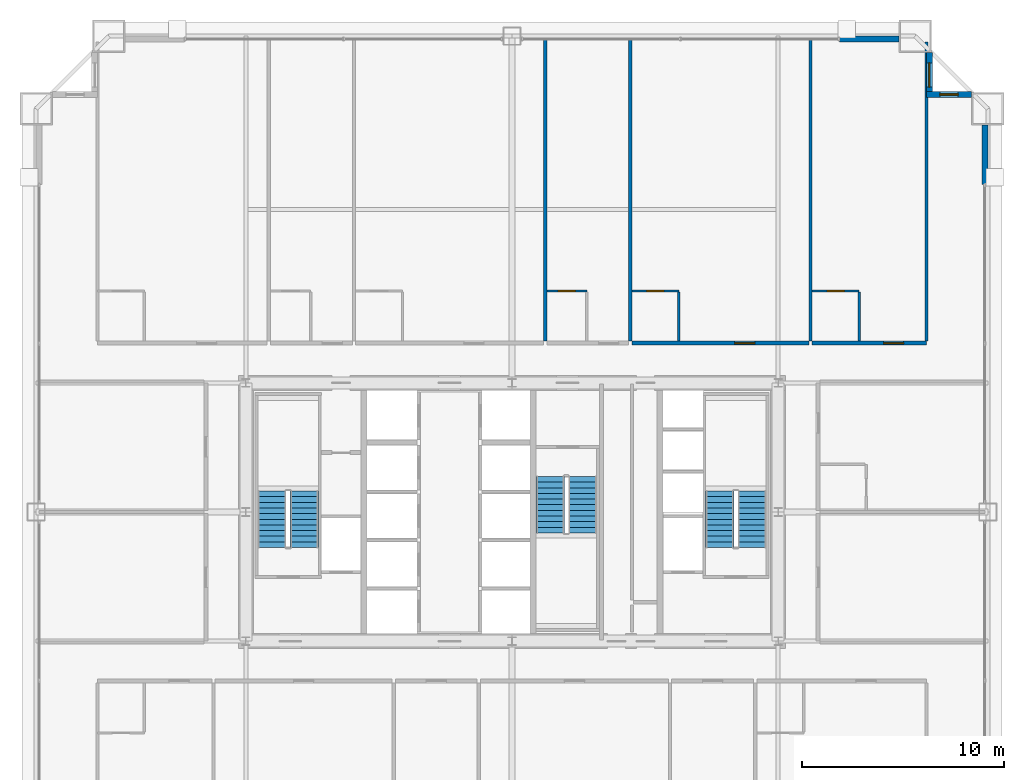
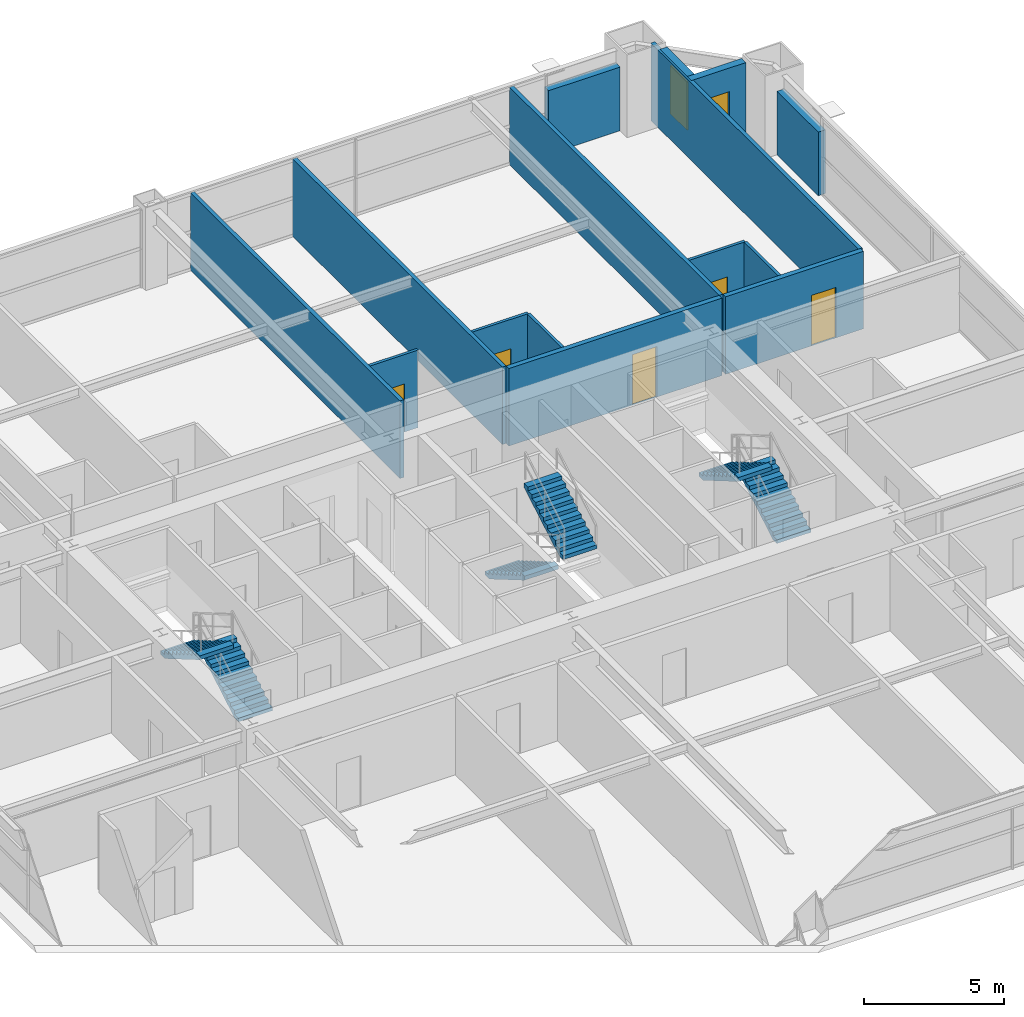
# One storey, part 38 of 39: 15 walls, 6 stair flights, 5 doors, 2 windows, 7 openings, 3 elements without a shape of their own.
"""IFC4 building model written with IfcOpenShell, lengths in metres."""

from ifc_helpers import new_model, si_unit, direction, frame, frame_2d, origin, place, context, subcontext, project, spatial, polyline, rectangle, outline, extrude, source, transform, mapped, material, layer, layer_set, type_object, element, fill, aggregate, save


model = new_model("IFC4")

# Units and contexts
model_context = context("Model", 3, precision=1e-05, world=origin(), true_north=direction((0.0, 1.0)))
body_context = subcontext(model_context, "Body", "Model", "MODEL_VIEW")
ifc_project = project(units=[si_unit("LENGTHUNIT", "METRE"), si_unit("AREAUNIT", "SQUARE_METRE"), si_unit("VOLUMEUNIT", "CUBIC_METRE"), si_unit("PLANEANGLEUNIT", "RADIAN"), si_unit("MASSUNIT", "GRAM", prefix="KILO"), si_unit("THERMODYNAMICTEMPERATUREUNIT", "KELVIN"), si_unit("POWERUNIT", "WATT")], contexts=[model_context])

# Site, building, storey
site_placement = place(None, origin())
site = spatial("IfcSite", under=ifc_project, at=site_placement, CompositionType="ELEMENT")
building_placement = place(site_placement, origin())
building = spatial("IfcBuilding", under=site, at=building_placement, Name="Yuzanri Waterfront Tower", CompositionType="ELEMENT")
storey_placement = place(building_placement, frame((0.0, 0.0, 148.800048828125)))
storey = spatial("IfcBuildingStorey", under=building, at=storey_placement, Name="L39", CompositionType="ELEMENT", Elevation=148.800048828125)

# Wall, opening, door
ifc_material_1 = material(Name="Moisture-Resistant Gypsum Stud Wall", Category="gypsum")
ifc_layer_1 = layer(ifc_material_1, 0.1201171875)
ifc_layer_set_1 = layer_set([ifc_layer_1], Name="Moisture-Resistant Gypsum Stud Wall")
wall_type_1 = type_object("IfcWallType", Name="Bathroom and Kitchen Wet Partition 120", PredefinedType="PARTITIONING", material=ifc_layer_set_1)
wall_1_placement = place(storey_placement, frame((38.72509765625, 36.760009765625, 0.0), z_axis=(0.0, 0.0, 1.0), x_axis=(1.0, 0.0, 0.0)))
wall_1 = element("IfcWall", 1, at=wall_1_placement, inside=storey, type_object=wall_type_1, Name="L39 Partition UW-L39-N4-BN", PredefinedType="PARTITIONING", context=body_context, shape_type="SweptSolid", body=[
    extrude(rectangle(XDim=1.990966796875, YDim=0.1201171875, at=frame_2d((0.99560546875, 0.0))), origin(), (0.0, 0.0, 1.0), 3.3798828125),
])
opening_1_placement = place(wall_1_placement, frame((0.570556640625, 0.0, 0.0)))
opening_1 = element("IfcOpeningElement", 2, at=opening_1_placement, cuts=wall_1, Name="Opening ID-0850", PredefinedType="OPENING", context=body_context, shape_type="SweptSolid", body=[
    extrude(rectangle(XDim=0.85009765625, YDim=2.10009765625, at=frame_2d((0.425048828125, 1.050048828125))), frame((0.0, 0.074951171875, 0.0), z_axis=(0.0, -1.0, 0.0), x_axis=(1.0, 0.0, 0.0)), (0.0, 0.0, 1.0), 0.14990234375),
])
ifc_material_2 = material(Name="Moisture-Resistant Lacquered Timber", Category="wood")
door_type_1 = type_object("IfcDoorType", Name="En-Suite Bathroom and Kitchen Swing Door 850x2100", OperationType="NOTDEFINED", PredefinedType="DOOR", material=ifc_material_2)
shared_shape_1 = source(origin(), body_context, "Body", "SweptSolid", [
    extrude(rectangle(XDim=0.85009765625, YDim=2.10009765625, at=frame_2d((0.425048828125, 1.050048828125))), frame((0.0, 0.02490234375, 0.0), z_axis=(0.0, -1.0, 0.0), x_axis=(1.0, 0.0, 0.0)), (0.0, 0.0, 1.0), 0.050048828125),
])
door_1_placement = place(opening_1_placement, origin())
door_1 = element("IfcDoor", 3, at=door_1_placement, inside=storey, type_object=door_type_1, Name="L39 Guest En-Suite Door", OperationType="SINGLE_SWING_LEFT", OverallHeight=2.10009765625, OverallWidth=0.85009765625, PredefinedType="DOOR", context=body_context, shape_type="MappedRepresentation", body=[
    mapped(shared_shape_1, transform((0.0, 0.0, 0.0), scale=1.0)),
])
fill(opening_1, door_1)

wall_2_placement = place(storey_placement, frame((42.946044921875, 36.760009765625, 0.0), z_axis=(0.0, 0.0, 1.0), x_axis=(1.0, 0.0, 0.0)))
wall_2 = element("IfcWall", 4, at=wall_2_placement, inside=storey, type_object=wall_type_1, Name="L39 Partition UW-L39-N5-BN", PredefinedType="PARTITIONING", context=body_context, shape_type="SweptSolid", body=[
    extrude(rectangle(XDim=2.329833984375, YDim=0.1201171875, at=frame_2d((1.1650390625, 0.0))), origin(), (0.0, 0.0, 1.0), 3.3798828125),
])
opening_2_placement = place(wall_2_placement, frame((0.739990234375, 0.0, 0.0)))
opening_2 = element("IfcOpeningElement", 5, at=opening_2_placement, cuts=wall_2, Name="Opening ID-0850", PredefinedType="OPENING", context=body_context, shape_type="SweptSolid", body=[
    extrude(rectangle(XDim=0.85009765625, YDim=2.10009765625, at=frame_2d((0.425048828125, 1.050048828125))), frame((0.0, 0.074951171875, 0.0), z_axis=(0.0, -1.0, 0.0), x_axis=(1.0, 0.0, 0.0)), (0.0, 0.0, 1.0), 0.14990234375),
])
door_2_placement = place(opening_2_placement, origin())
door_2 = element("IfcDoor", 6, at=door_2_placement, inside=storey, type_object=door_type_1, Name="L39 Guest En-Suite Door", OperationType="SINGLE_SWING_LEFT", OverallHeight=2.10009765625, OverallWidth=0.85009765625, PredefinedType="DOOR", context=body_context, shape_type="MappedRepresentation", body=[
    mapped(shared_shape_1, transform((0.0, 0.0, 0.0), scale=1.0)),
])
fill(opening_2, door_2)

wall_3_placement = place(storey_placement, frame((51.883056640625, 36.760009765625, 0.0), z_axis=(0.0, 0.0, 1.0), x_axis=(1.0, 0.0, 0.0)))
wall_3 = element("IfcWall", 7, at=wall_3_placement, inside=storey, type_object=wall_type_1, Name="L39 Partition UW-L39-N6-BN", PredefinedType="PARTITIONING", context=body_context, shape_type="SweptSolid", body=[
    extrude(rectangle(XDim=2.329833984375, YDim=0.1201171875, at=frame_2d((1.1650390625, 0.0))), origin(), (0.0, 0.0, 1.0), 3.3798828125),
])
opening_3_placement = place(wall_3_placement, frame((0.739990234375, 0.0, 0.0)))
opening_3 = element("IfcOpeningElement", 8, at=opening_3_placement, cuts=wall_3, Name="Opening ID-0850", PredefinedType="OPENING", context=body_context, shape_type="SweptSolid", body=[
    extrude(rectangle(XDim=0.85009765625, YDim=2.10009765625, at=frame_2d((0.425048828125, 1.050048828125))), frame((0.0, 0.074951171875, 0.0), z_axis=(0.0, -1.0, 0.0), x_axis=(1.0, 0.0, 0.0)), (0.0, 0.0, 1.0), 0.14990234375),
])
door_3_placement = place(opening_3_placement, origin())
door_3 = element("IfcDoor", 9, at=door_3_placement, inside=storey, type_object=door_type_1, Name="L39 Guest En-Suite Door", OperationType="SINGLE_SWING_LEFT", OverallHeight=2.10009765625, OverallWidth=0.85009765625, PredefinedType="DOOR", context=body_context, shape_type="MappedRepresentation", body=[
    mapped(shared_shape_1, transform((0.0, 0.0, 0.0), scale=1.0)),
])
fill(opening_3, door_3)

# Wall, opening, window
ifc_material_3 = material(Name="Honed Chongqing Dark Basalt Stone", Category="masonry")
ifc_layer_2 = layer(ifc_material_3, 0.300048828125)
ifc_layer_set_2 = layer_set([ifc_layer_2], Name="Honed Chongqing Dark Basalt Stone")
wall_type_2 = type_object("IfcWallType", Name="Bronze Rainscreen Insulated Spandrel Portal Wall 300", PredefinedType="SOLIDWALL", material=ifc_layer_set_2)
wall_4_placement = place(storey_placement, frame((59.800048828125, 46.5, 0.0), z_axis=(0.0, 0.0, 1.0), x_axis=(-1.0, 0.0, 0.0)))
wall_4 = element("IfcWall", 10, at=wall_4_placement, inside=storey, type_object=wall_type_2, Name="L39 Notched Corner Masonry Wall NE-X", PredefinedType="SOLIDWALL", context=body_context, shape_type="SweptSolid", body=[
    extrude(rectangle(XDim=2.25, YDim=0.300048828125, at=frame_2d((1.125, 0.0))), origin(), (0.0, 0.0, 1.0), 3.3798828125),
])
opening_4_placement = place(wall_4_placement, frame((0.675048828125, 0.0, 0.85009765625)))
opening_4 = element("IfcOpeningElement", 11, at=opening_4_placement, cuts=wall_4, Name="Opening WN-05", PredefinedType="OPENING", context=body_context, shape_type="SweptSolid", body=[
    extrude(rectangle(XDim=0.89990234375, YDim=1.5, at=frame_2d((0.449951171875, 0.75))), frame((0.0, 0.1650390625, 0.0), z_axis=(0.0, -1.0, 0.0), x_axis=(1.0, 0.0, 0.0)), (0.0, 0.0, 1.0), 0.329833984375),
])
ifc_material_4 = material(Name="Double-Silver Low-E Insulated Glass", Category="glass")
window_type_1 = type_object("IfcWindowType", Name="Anodized Bronze Service and Stairwell Smoke-Vent Window 900x1500", PartitioningType="SINGLE_PANEL", PredefinedType="WINDOW", material=ifc_material_4)
shared_shape_2 = source(origin(), body_context, "Body", "SweptSolid", [
    extrude(rectangle(XDim=0.89990234375, YDim=1.5, at=frame_2d((0.449951171875, 0.75))), frame((0.0, 0.030029296875, 0.0), z_axis=(0.0, -1.0, 0.0), x_axis=(1.0, 0.0, 0.0)), (0.0, 0.0, 1.0), 0.06005859375),
])
window_1_placement = place(opening_4_placement, origin())
window_1 = element("IfcWindow", 12, at=window_1_placement, inside=storey, type_object=window_type_1, Name="L39 Notched Corner Window NE-X", OverallHeight=1.5, OverallWidth=0.89990234375, PartitioningType="SINGLE_PANEL", PredefinedType="WINDOW", context=body_context, shape_type="MappedRepresentation", body=[
    mapped(shared_shape_2, transform((0.0, 0.0, 0.0), scale=1.0)),
])
fill(opening_4, window_1)

wall_5_placement = place(storey_placement, frame((57.699951171875, 46.35009765625, 0.0), z_axis=(0.0, 0.0, 1.0), x_axis=(0.0, 1.0, 0.0)))
wall_5 = element("IfcWall", 13, at=wall_5_placement, inside=storey, type_object=wall_type_2, Name="L39 Notched Corner Masonry Wall NE-Y", PredefinedType="SOLIDWALL", context=body_context, shape_type="SweptSolid", body=[
    extrude(rectangle(XDim=2.25, YDim=0.300048828125, at=frame_2d((1.125, 0.0))), origin(), (0.0, 0.0, 1.0), 3.3798828125),
])
opening_5_placement = place(wall_5_placement, frame((0.52490234375, 0.0, 0.85009765625)))
opening_5 = element("IfcOpeningElement", 14, at=opening_5_placement, cuts=wall_5, Name="Opening WN-02", PredefinedType="OPENING", context=body_context, shape_type="SweptSolid", body=[
    extrude(rectangle(XDim=1.199951171875, YDim=2.10009765625, at=frame_2d((0.60009765625, 1.050048828125))), frame((0.0, 0.1650390625, 0.0), z_axis=(0.0, -1.0, 0.0), x_axis=(1.0, 0.0, 0.0)), (0.0, 0.0, 1.0), 0.329833984375),
])
ifc_material_5 = material(Name="Double-Silver Low-E Insulated Glass", Category="glass")
window_type_2 = type_object("IfcWindowType", Name="Anodized Bronze Notched Corner Deep-Set Slot Window 1200x2100", PartitioningType="SINGLE_PANEL", PredefinedType="WINDOW", material=ifc_material_5)
shared_shape_3 = source(origin(), body_context, "Body", "SweptSolid", [
    extrude(rectangle(XDim=1.199951171875, YDim=2.10009765625, at=frame_2d((0.60009765625, 1.050048828125))), frame((0.0, 0.030029296875, 0.0), z_axis=(0.0, -1.0, 0.0), x_axis=(1.0, 0.0, 0.0)), (0.0, 0.0, 1.0), 0.06005859375),
])
window_2_placement = place(opening_5_placement, origin())
window_2 = element("IfcWindow", 15, at=window_2_placement, inside=storey, type_object=window_type_2, Name="L39 Notched Corner Window NE-Y", OverallHeight=2.10009765625, OverallWidth=1.199951171875, PartitioningType="SINGLE_PANEL", PredefinedType="WINDOW", context=body_context, shape_type="MappedRepresentation", body=[
    mapped(shared_shape_3, transform((0.0, 0.0, 0.0), scale=1.0)),
])
fill(opening_5, window_2)

# Wall, opening, door
ifc_material_6 = material(Name="Autoclaved Aerated Concrete Blockwork", Category="masonry")
ifc_layer_3 = layer(ifc_material_6, 0.199951171875)
ifc_layer_set_3 = layer_set([ifc_layer_3], Name="Autoclaved Aerated Concrete Blockwork")
wall_type_3 = type_object("IfcWallType", Name="Corridor and Unit Party Fire Wall 200", PredefinedType="PARTITIONING", material=ifc_layer_set_3)
wall_6_placement = place(storey_placement, frame((42.946044921875, 34.179931640625, 0.0), z_axis=(0.0, 0.0, 1.0), x_axis=(1.0, 0.0, 0.0)))
wall_6 = element("IfcWall", 16, at=wall_6_placement, inside=storey, type_object=wall_type_3, Name="L39 Partition UW-L39-N5-CS", PredefinedType="PARTITIONING", context=body_context, shape_type="SweptSolid", body=[
    extrude(rectangle(XDim=8.77685546875, YDim=0.199951171875, at=frame_2d((4.388427734375, 0.0))), origin(), (0.0, 0.0, 1.0), 3.3798828125),
])
opening_6_placement = place(wall_6_placement, frame((5.093017578125, 0.0, 0.0)))
opening_6 = element("IfcOpeningElement", 17, at=opening_6_placement, cuts=wall_6, Name="Opening FD-1000", PredefinedType="OPENING", context=body_context, shape_type="SweptSolid", body=[
    extrude(rectangle(XDim=1.0, YDim=2.199951171875, at=frame_2d((0.5, 1.10009765625))), frame((0.0, 0.11474609375, 0.0), z_axis=(0.0, -1.0, 0.0), x_axis=(1.0, 0.0, 0.0)), (0.0, 0.0, 1.0), 0.229736328125),
])
ifc_material_7 = material(Name="Engineered Oak Fire-Rated Timber", Category="wood")
door_type_2 = type_object("IfcDoorType", Name="Guestroom and Apartment Entrance Fire Door 1000x2200", OperationType="NOTDEFINED", PredefinedType="DOOR", material=ifc_material_7)
shared_shape_4 = source(origin(), body_context, "Body", "SweptSolid", [
    extrude(rectangle(XDim=1.0, YDim=2.199951171875, at=frame_2d((0.5, 1.10009765625))), frame((0.0, 0.02490234375, 0.0), z_axis=(0.0, -1.0, 0.0), x_axis=(1.0, 0.0, 0.0)), (0.0, 0.0, 1.0), 0.050048828125),
])
door_4_placement = place(opening_6_placement, origin())
door_4 = element("IfcDoor", 18, at=door_4_placement, inside=storey, type_object=door_type_2, Name="L39 Deluxe Twin Junior Suite Entrance Door", OperationType="SINGLE_SWING_RIGHT", OverallHeight=2.199951171875, OverallWidth=1.0, PredefinedType="DOOR", context=body_context, shape_type="MappedRepresentation", body=[
    mapped(shared_shape_4, transform((0.0, 0.0, 0.0), scale=1.0)),
])
fill(opening_6, door_4)

wall_7_placement = place(storey_placement, frame((51.883056640625, 34.179931640625, 0.0), z_axis=(0.0, 0.0, 1.0), x_axis=(1.0, 0.0, 0.0)))
wall_7 = element("IfcWall", 19, at=wall_7_placement, inside=storey, type_object=wall_type_3, Name="L39 Partition UW-L39-N6-CS", PredefinedType="PARTITIONING", context=body_context, shape_type="SweptSolid", body=[
    extrude(rectangle(XDim=5.677001953125, YDim=0.199951171875, at=frame_2d((2.83837890625, 0.0))), origin(), (0.0, 0.0, 1.0), 3.3798828125),
])
opening_7_placement = place(wall_7_placement, frame((3.5439453125, 0.0, 0.0)))
opening_7 = element("IfcOpeningElement", 20, at=opening_7_placement, cuts=wall_7, Name="Opening FD-1000", PredefinedType="OPENING", context=body_context, shape_type="SweptSolid", body=[
    extrude(rectangle(XDim=1.0, YDim=2.199951171875, at=frame_2d((0.5, 1.10009765625))), frame((0.0, 0.11474609375, 0.0), z_axis=(0.0, -1.0, 0.0), x_axis=(1.0, 0.0, 0.0)), (0.0, 0.0, 1.0), 0.229736328125),
])
door_5_placement = place(opening_7_placement, origin())
door_5 = element("IfcDoor", 21, at=door_5_placement, inside=storey, type_object=door_type_2, Name="L39 Deluxe Twin Junior Suite Entrance Door", OperationType="SINGLE_SWING_RIGHT", OverallHeight=2.199951171875, OverallWidth=1.0, PredefinedType="DOOR", context=body_context, shape_type="MappedRepresentation", body=[
    mapped(shared_shape_4, transform((0.0, 0.0, 0.0), scale=1.0)),
])
fill(opening_7, door_5)

# Walls
shared_shape_5 = source(origin(), body_context, "Body", "SweptSolid", [
    extrude(rectangle(XDim=2.949951171875, YDim=0.300048828125, at=frame_2d((1.47509765625, 0.0))), origin(), (0.0, 0.0, 1.0), 2.77490234375),
])
for number, where, z_axis, x_axis, name in (
    (22, (53.25, 49.25, 0.0), (0.0, 0.0, 1.0), (1.0, 0.0, 0.0), "L39 N Right Braced Masonry Shoulder"),
    (23, (60.449951171875, 42.050048828125, 0.0), (0.0, 0.0, 1.0), (0.0, 1.0, 0.0), "L39 E Right Braced Masonry Shoulder"),
):
    element("IfcWall", number, at=place(storey_placement, frame(where, z_axis=z_axis, x_axis=x_axis)), inside=storey, type_object=wall_type_2, Name=name, PredefinedType="SOLIDWALL", context=body_context, shape_type="MappedRepresentation", body=[
        mapped(shared_shape_5, transform((0.0, 0.0, 0.0), scale=1.0)),
    ])
shared_shape_6 = source(origin(), body_context, "Body", "SweptSolid", [
    extrude(rectangle(XDim=2.419921875, YDim=0.1201171875, at=frame_2d((1.2099609375, 0.0))), origin(), (0.0, 0.0, 1.0), 3.3798828125),
])
for number, where, z_axis, x_axis, name in (
    (24, (45.27587890625, 34.280029296875, 0.0), (0.0, 0.0, 1.0), (0.0, 1.0, 0.0), "L39-N5 En-Suite Side Wall"),
    (25, (54.212890625, 34.280029296875, 0.0), (0.0, 0.0, 1.0), (0.0, 1.0, 0.0), "L39-N6 En-Suite Side Wall"),
):
    element("IfcWall", number, at=place(storey_placement, frame(where, z_axis=z_axis, x_axis=x_axis)), inside=storey, type_object=wall_type_1, Name=name, PredefinedType="PARTITIONING", context=body_context, shape_type="MappedRepresentation", body=[
        mapped(shared_shape_6, transform((0.0, 0.0, 0.0), scale=1.0)),
    ])
ifc_material_8 = material(Name="Gypsum Fireboard Acoustic Stud Wall", Category="gypsum")
ifc_layer_4 = layer(ifc_material_8, 0.159912109375)
ifc_layer_set_4 = layer_set([ifc_layer_4], Name="Gypsum Fireboard Acoustic Stud Wall")
wall_type_4 = type_object("IfcWallType", Name="Acoustic Suite Demising Partition 160", PredefinedType="PARTITIONING", material=ifc_layer_set_4)
shared_shape_7 = source(origin(), body_context, "Body", "SweptSolid", [
    extrude(rectangle(XDim=14.969970703125, YDim=0.159912109375, at=frame_2d((7.48486328125, 0.0))), origin(), (0.0, 0.0, 1.0), 3.3798828125),
])
for number, where, z_axis, x_axis, name in (
    (26, (38.64501953125, 34.280029296875, 0.0), (0.0, 0.0, 1.0), (0.0, 1.0, 0.0), "L39-N3 Party Wall"),
    (27, (42.865966796875, 34.280029296875, 0.0), (0.0, 0.0, 1.0), (0.0, 1.0, 0.0), "L39-N4 Party Wall"),
    (28, (51.802978515625, 34.280029296875, 0.0), (0.0, 0.0, 1.0), (0.0, 1.0, 0.0), "L39-N5 Party Wall"),
):
    element("IfcWall", number, at=place(storey_placement, frame(where, z_axis=z_axis, x_axis=x_axis)), inside=storey, type_object=wall_type_4, Name=name, PredefinedType="PARTITIONING", context=body_context, shape_type="MappedRepresentation", body=[
        mapped(shared_shape_7, transform((0.0, 0.0, 0.0), scale=1.0)),
    ])
shared_shape_8 = source(origin(), body_context, "Body", "SweptSolid", [
    extrude(rectangle(XDim=14.820068359375, YDim=0.159912109375, at=frame_2d((7.41015625, 0.0))), origin(), (0.0, 0.0, 1.0), 3.3798828125),
])
wall_8_placement = place(storey_placement, frame((57.550048828125, 34.280029296875, 0.0), z_axis=(0.0, 0.0, 1.0), x_axis=(0.0, 1.0, 0.0)))
element("IfcWall", 29, at=wall_8_placement, inside=storey, type_object=wall_type_4, Name="L39 North Band East End Wall", PredefinedType="PARTITIONING", context=body_context, shape_type="MappedRepresentation", body=[
    mapped(shared_shape_8, transform((0.0, 0.0, 0.0), scale=1.0)),
])

# Stair, stair flights
ifc_material_9 = material(Name="Concrete C40", Category="concrete")
stair_type = type_object("IfcStairType", Name="Concrete C40 Core Dogleg Exit Stair", PredefinedType="HALF_TURN_STAIR", material=ifc_material_9)
stair_1_placement = place(storey_placement, origin())
stair_1 = element("IfcStair", 30, at=stair_1_placement, inside=storey, type_object=stair_type, Name="L39 Smoke-Proof Core Stair ST-01", PredefinedType="HALF_TURN_STAIR")
ifc_material_10 = material(Name="Concrete C40", Category="concrete")
stair_flight_type = type_object("IfcStairFlightType", Name="Concrete C40 Precast Stair Flight 1380", PredefinedType="STRAIGHT", material=ifc_material_10)
shared_shape_9 = source(origin(), body_context, "Body", "SweptSolid", [
    extrude(outline(polyline([(0.0, 0.0), (0.0, 0.16357421875), (0.280029296875, 0.16357421875), (0.280029296875, 0.327392578125), (0.56005859375, 0.327392578125), (0.56005859375, 0.490966796875), (0.840087890625, 0.490966796875), (0.840087890625, 0.654541015625), (1.1201171875, 0.654541015625), (1.1201171875, 0.818115234375), (1.39990234375, 0.818115234375), (1.39990234375, 0.98193359375), (1.679931640625, 0.98193359375), (1.679931640625, 1.1455078125), (1.9599609375, 1.1455078125), (1.9599609375, 1.30908203125), (2.239990234375, 1.30908203125), (2.239990234375, 1.47265625), (2.52001953125, 1.47265625), (2.52001953125, 1.636474609375), (2.800048828125, 1.636474609375), (2.800048828125, 1.800048828125), (2.800048828125, 1.462646484375), (0.297119140625, 0.0), (0.0, 0.0)])), frame((0.0, 0.699951171875, 0.0), z_axis=(0.0, -1.0, 0.0), x_axis=(1.0, 0.0, 0.0)), (0.0, 0.0, 1.0), 1.39990234375),
])
stair_flight_1_placement = place(storey_placement, frame((26.699951171875, 24.0400390625, 0.0), z_axis=(0.0, 0.0, 1.0), x_axis=(0.0, 1.0, 0.0)))
stair_flight_1 = element("IfcStairFlight", 31, at=stair_flight_1_placement, type_object=stair_flight_type, Name="ST-01 flight 1", NumberOfRisers=11, NumberOfTreads=10, PredefinedType="STRAIGHT", RiserHeight=0.163636364, TreadLength=0.28, context=body_context, shape_type="MappedRepresentation", body=[
    mapped(shared_shape_9, transform((0.0, 0.0, 0.0), scale=1.0)),
])
stair_flight_2_placement = place(storey_placement, frame((25.10009765625, 26.840087890625, 1.800048828125), z_axis=(0.0, 0.0, 1.0), x_axis=(0.0, -1.0, 0.0)))
stair_flight_2 = element("IfcStairFlight", 32, at=stair_flight_2_placement, type_object=stair_flight_type, Name="ST-01 flight 2", NumberOfRisers=11, NumberOfTreads=10, PredefinedType="STRAIGHT", RiserHeight=0.163636364, TreadLength=0.28, context=body_context, shape_type="MappedRepresentation", body=[
    mapped(shared_shape_9, transform((0.0, 0.0, 0.0), scale=1.0)),
])
aggregate(stair_1, [stair_flight_1, stair_flight_2])

stair_2_placement = place(storey_placement, origin())
stair_2 = element("IfcStair", 33, at=stair_2_placement, inside=storey, type_object=stair_type, Name="L39 Smoke-Proof Core Stair ST-02", PredefinedType="HALF_TURN_STAIR")
stair_flight_3_placement = place(storey_placement, frame((48.89990234375, 24.0400390625, 0.0), z_axis=(0.0, 0.0, 1.0), x_axis=(0.0, 1.0, 0.0)))
stair_flight_3 = element("IfcStairFlight", 34, at=stair_flight_3_placement, type_object=stair_flight_type, Name="ST-02 flight 1", NumberOfRisers=11, NumberOfTreads=10, PredefinedType="STRAIGHT", RiserHeight=0.163636364, TreadLength=0.28, context=body_context, shape_type="MappedRepresentation", body=[
    mapped(shared_shape_9, transform((0.0, 0.0, 0.0), scale=1.0)),
])
stair_flight_4_placement = place(storey_placement, frame((47.300048828125, 26.840087890625, 1.800048828125), z_axis=(0.0, 0.0, 1.0), x_axis=(0.0, -1.0, 0.0)))
stair_flight_4 = element("IfcStairFlight", 35, at=stair_flight_4_placement, type_object=stair_flight_type, Name="ST-02 flight 2", NumberOfRisers=11, NumberOfTreads=10, PredefinedType="STRAIGHT", RiserHeight=0.163636364, TreadLength=0.28, context=body_context, shape_type="MappedRepresentation", body=[
    mapped(shared_shape_9, transform((0.0, 0.0, 0.0), scale=1.0)),
])
aggregate(stair_2, [stair_flight_3, stair_flight_4])

stair_3_placement = place(storey_placement, origin())
stair_3 = element("IfcStair", 36, at=stair_3_placement, inside=storey, type_object=stair_type, Name="L39 Smoke-Proof Core Stair ST-03", PredefinedType="HALF_TURN_STAIR")
stair_flight_5_placement = place(storey_placement, frame((38.89990234375, 27.56005859375, 0.0), z_axis=(0.0, 0.0, 1.0), x_axis=(0.0, -1.0, 0.0)))
stair_flight_5 = element("IfcStairFlight", 37, at=stair_flight_5_placement, type_object=stair_flight_type, Name="ST-03 flight 1", NumberOfRisers=11, NumberOfTreads=10, PredefinedType="STRAIGHT", RiserHeight=0.163636364, TreadLength=0.28, context=body_context, shape_type="MappedRepresentation", body=[
    mapped(shared_shape_9, transform((0.0, 0.0, 0.0), scale=1.0)),
])
stair_flight_6_placement = place(storey_placement, frame((40.5, 24.760009765625, 1.800048828125), z_axis=(0.0, 0.0, 1.0), x_axis=(0.0, 1.0, 0.0)))
stair_flight_6 = element("IfcStairFlight", 38, at=stair_flight_6_placement, type_object=stair_flight_type, Name="ST-03 flight 2", NumberOfRisers=11, NumberOfTreads=10, PredefinedType="STRAIGHT", RiserHeight=0.163636364, TreadLength=0.28, context=body_context, shape_type="MappedRepresentation", body=[
    mapped(shared_shape_9, transform((0.0, 0.0, 0.0), scale=1.0)),
])
aggregate(stair_3, [stair_flight_5, stair_flight_6])

save(model, "model.ifc")
